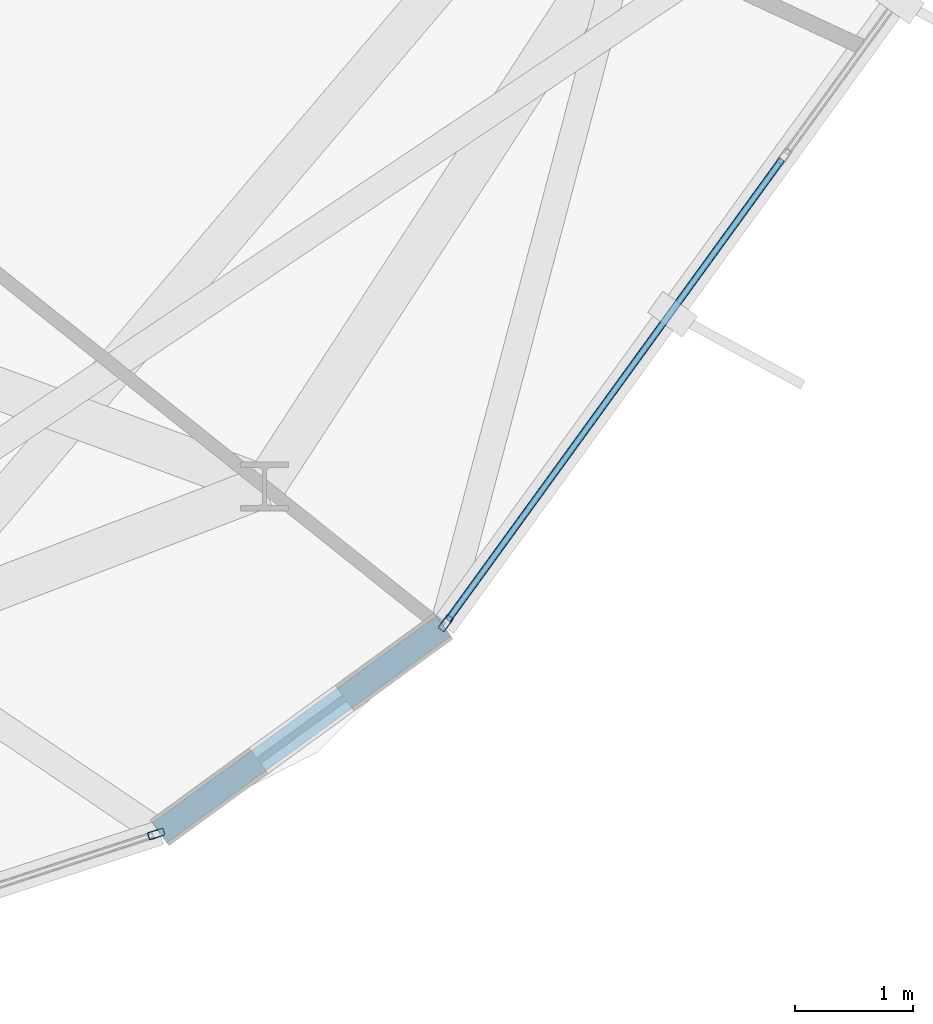
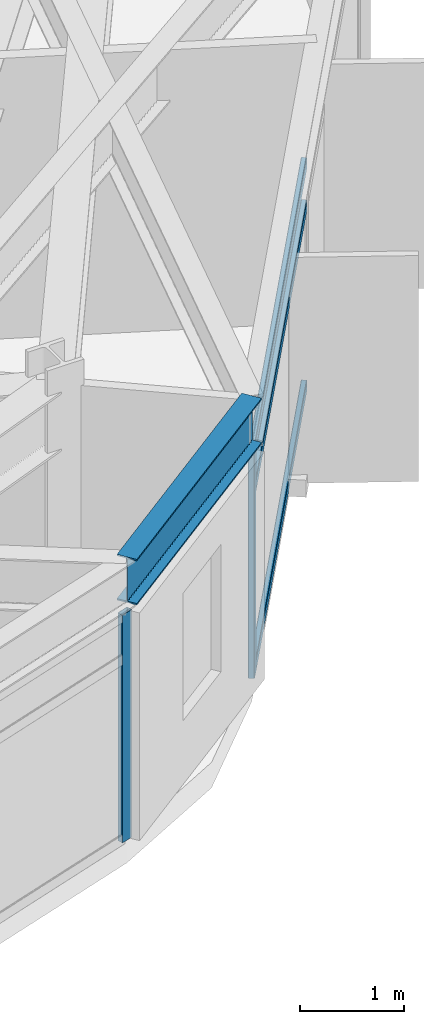
# One storey, part 11 of 31: 5 members, 1 beam, 2 elements without a shape of their own.
"""IFC4 building model written with IfcOpenShell, lengths in metres."""

from ifc_helpers import new_model, si_unit, direction, frame, origin, origin_2d, place, context, subcontext, project, spatial, hollow_rectangle, i_section, extrude, material, layer, layer_set, material_profile, profile_set, type_object, element, aggregate, save


model = new_model("IFC4")

# Units and contexts
model_context = context("Model", 3, precision=1e-05, world=origin(), true_north=direction((0.0, 1.0)))
body_context = subcontext(model_context, "Body", "Model", "MODEL_VIEW")
ifc_project = project(units=[si_unit("LENGTHUNIT", "METRE"), si_unit("AREAUNIT", "SQUARE_METRE"), si_unit("VOLUMEUNIT", "CUBIC_METRE"), si_unit("PLANEANGLEUNIT", "RADIAN"), si_unit("MASSUNIT", "GRAM", prefix="KILO")], contexts=[model_context])

# Site, building, storey
site_placement = place(None, origin())
site = spatial("IfcSite", under=ifc_project, at=site_placement, CompositionType="ELEMENT")
building_placement = place(site_placement, origin())
building = spatial("IfcBuilding", under=site, at=building_placement, Name="Soratama Intermodal Tower", CompositionType="ELEMENT")
storey_placement = place(building_placement, frame((0.0, 0.0, 230.199951171875)))
storey = spatial("IfcBuildingStorey", under=building, at=storey_placement, Name="L58", CompositionType="ELEMENT", Elevation=230.199951171875)

# Beam
ifc_material_1 = material(Name="Structural steel ASTM A992 Grade 50", Category="steel")
ifc_material_profile_1 = material_profile(ifc_material_1, i_section(OverallWidth=0.2099609375, OverallDepth=0.537109375, WebThickness=0.010986328125, FlangeThickness=0.017333984375, FilletRadius=0.012939453125, at=origin_2d()), Name="W21X68")
ifc_profile_set_1 = profile_set([ifc_material_profile_1], Name="Structural steel ASTM A992 Grade 50")
beam_type = type_object("IfcBeamType", Name="BM-SPN-W21X68", PredefinedType="SPANDREL", material=ifc_profile_set_1)
beam_placement = place(storey_placement, frame((55.820068359375, 7.62109375, 3.031494140625), z_axis=(0.808433438207, 0.58858761114, 0.0), x_axis=(-0.58858761114, 0.808433438207, 0.0)))
element("IfcBeam", 1, at=beam_placement, inside=storey, type_object=beam_type, Name="BS-L58-CRN07", PredefinedType="SPANDREL", context=body_context, shape_type="SweptSolid", body=[
    extrude(i_section(OverallWidth=0.2099609375, OverallDepth=0.537109375, WebThickness=0.010986328125, FlangeThickness=0.017333984375, FilletRadius=0.012939453125, at=origin_2d()), origin(), (0.0, 0.0, 1.0), 2.966064453125),
])

# Curtain wall, member
ifc_material_2 = material(Name="Double-glazed aluminium curtain wall", Category="aluminium")
ifc_layer = layer(ifc_material_2, 0.159912109375)
ifc_layer_set = layer_set([ifc_layer], Name="Double-glazed aluminium curtain wall")
curtain_wall_type = type_object("IfcCurtainWallType", Name="CW-SYS-5", PredefinedType="NOTDEFINED", material=ifc_layer_set)
curtain_wall_1_placement = place(storey_placement, origin())
curtain_wall_1 = element("IfcCurtainWall", 2, at=curtain_wall_1_placement, inside=storey, type_object=curtain_wall_type, Name="L58 Faceted Curtain Wall F07", PredefinedType="NOTDEFINED")
ifc_material_3 = material(Name="Anodised aluminium AA 6063-T6", Category="aluminium")
ifc_material_profile_2 = material_profile(ifc_material_3, hollow_rectangle(XDim=0.06494140625, YDim=0.139892578125, WallThickness=0.0048828125, InnerFilletRadius=0.0048828125, OuterFilletRadius=0.010009765625, at=origin_2d()), Name="CWM140X65X5")
ifc_profile_set_2 = profile_set([ifc_material_profile_2], Name="Anodised aluminium AA 6063-T6")
member_type_1 = type_object("IfcMemberType", Name="MT-CWM-5", PredefinedType="MULLION", material=ifc_profile_set_2)
member_1_placement = place(storey_placement, frame((55.791015625, 7.611572265625, 0.0), z_axis=(0.0, 0.0, 1.0), x_axis=(-0.310014382585, 0.950731866822, 0.0)))
member_1 = element("IfcMember", 3, at=member_1_placement, type_object=member_type_1, Name="CW-5 mullion 3", PredefinedType="MULLION", context=body_context, shape_type="SweptSolid", body=[
    extrude(hollow_rectangle(XDim=0.06494140625, YDim=0.139892578125, WallThickness=0.0048828125, InnerFilletRadius=0.0048828125, OuterFilletRadius=0.010009765625, at=origin_2d()), origin(), (0.0, 0.0, 1.0), 2.678955078125),
])
aggregate(curtain_wall_1, [member_1])

# Curtain wall, members
curtain_wall_2_placement = place(storey_placement, origin())
curtain_wall_2 = element("IfcCurtainWall", 4, at=curtain_wall_2_placement, inside=storey, type_object=curtain_wall_type, Name="L58 Faceted Curtain Wall F08", PredefinedType="NOTDEFINED")
member_2_placement = place(storey_placement, frame((58.2353515625, 9.391357421875, 0.0), z_axis=(0.0, 0.0, 1.0), x_axis=(-0.80963287542, 0.586936629492, 0.0)))
member_2 = element("IfcMember", 5, at=member_2_placement, type_object=member_type_1, Name="CW-5 mullion 1", PredefinedType="MULLION", context=body_context, shape_type="SweptSolid", body=[
    extrude(hollow_rectangle(XDim=0.06494140625, YDim=0.139892578125, WallThickness=0.0048828125, InnerFilletRadius=0.0048828125, OuterFilletRadius=0.010009765625, at=origin_2d()), origin(), (0.0, 0.0, 1.0), 2.678955078125),
])
ifc_material_4 = material(Name="Anodised aluminium AA 6063-T6", Category="aluminium")
ifc_material_profile_3 = material_profile(ifc_material_4, hollow_rectangle(XDim=0.06005859375, YDim=0.1298828125, WallThickness=0.0048828125, InnerFilletRadius=0.0048828125, OuterFilletRadius=0.010009765625, at=origin_2d()), Name="CWT130X60X5")
ifc_profile_set_3 = profile_set([ifc_material_profile_3], Name="Anodised aluminium AA 6063-T6")
member_type_2 = type_object("IfcMemberType", Name="TT-CWT-2", PredefinedType="USERDEFINED", material=ifc_profile_set_3)
member_3_placement = place(storey_placement, frame((58.2529296875, 9.415771484375, 0.030029296875), z_axis=(0.586948436467, 0.80962431592, 0.0), x_axis=(-0.80962431592, 0.586948436467, 0.0)))
member_3 = element("IfcMember", 6, at=member_3_placement, type_object=member_type_2, Name="CW-5 transom 1.1", ObjectType="TRANSOM", PredefinedType="USERDEFINED", context=body_context, shape_type="SweptSolid", body=[
    extrude(hollow_rectangle(XDim=0.06005859375, YDim=0.1298828125, WallThickness=0.0048828125, InnerFilletRadius=0.0048828125, OuterFilletRadius=0.010009765625, at=origin_2d()), origin(), (0.0, 0.0, 1.0), 4.808837890625),
])
member_4_placement = place(storey_placement, frame((58.2529296875, 9.415771484375, 2.150146484375), z_axis=(0.586948436467, 0.80962431592, 0.0), x_axis=(-0.80962431592, 0.586948436467, 0.0)))
member_4 = element("IfcMember", 7, at=member_4_placement, type_object=member_type_2, Name="CW-5 transom 1.2", ObjectType="TRANSOM", PredefinedType="USERDEFINED", context=body_context, shape_type="SweptSolid", body=[
    extrude(hollow_rectangle(XDim=0.06005859375, YDim=0.1298828125, WallThickness=0.0048828125, InnerFilletRadius=0.0048828125, OuterFilletRadius=0.010009765625, at=origin_2d()), origin(), (0.0, 0.0, 1.0), 4.808837890625),
])
member_5_placement = place(storey_placement, frame((58.2529296875, 9.415771484375, 2.649169921875), z_axis=(0.586948436467, 0.80962431592, 0.0), x_axis=(-0.80962431592, 0.586948436467, 0.0)))
member_5 = element("IfcMember", 8, at=member_5_placement, type_object=member_type_2, Name="CW-5 transom 1.3", ObjectType="TRANSOM", PredefinedType="USERDEFINED", context=body_context, shape_type="SweptSolid", body=[
    extrude(hollow_rectangle(XDim=0.06005859375, YDim=0.1298828125, WallThickness=0.0048828125, InnerFilletRadius=0.0048828125, OuterFilletRadius=0.010009765625, at=origin_2d()), origin(), (0.0, 0.0, 1.0), 4.808837890625),
])
aggregate(curtain_wall_2, [member_2, member_3, member_4, member_5])

save(model, "model.ifc")
